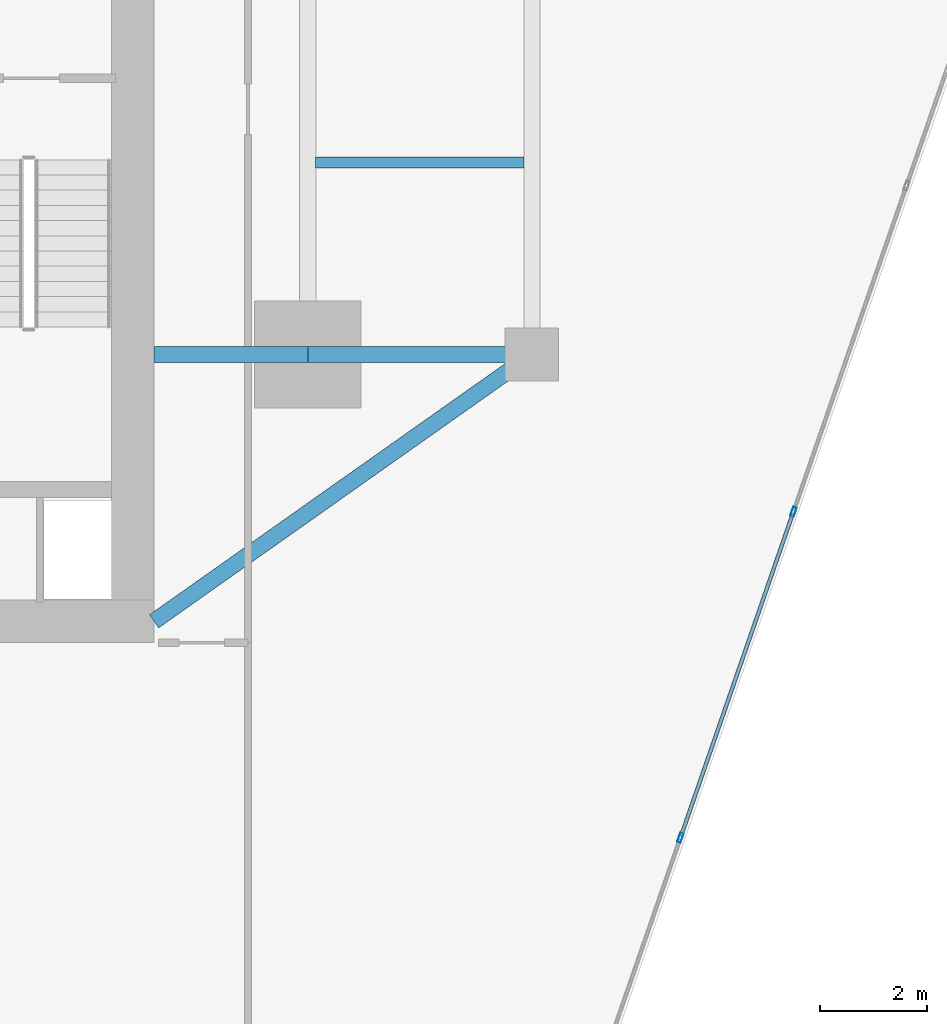
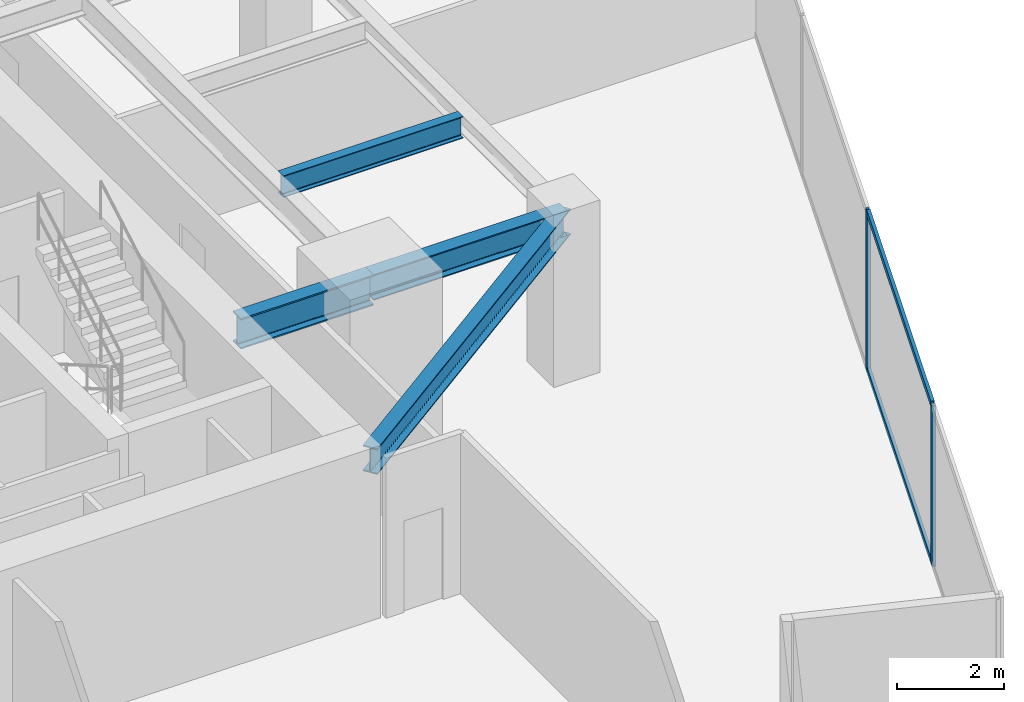
# One storey, part 11 of 27: 4 beams, 4 members, 1 element without a shape of its own.
"""IFC4 building model written with IfcOpenShell, lengths in metres."""

import ifcopenshell
import ifcopenshell.guid

model = None  # the IFC model being written
_history = None  # IfcOwnerHistory: only IFC2X3 demands one
_inside = {}  # id of a spatial element -> (the spatial element, [elements in it])
_under = {}  # id of a project, library or spatial element -> (it, [spatial elements below it])
_declared = {}  # id of a project -> (the project, [libraries it declares])
_typed = {}  # id of a type object -> (the type object, [elements of that type])
_made_of = {}  # id of a material, layer set ... -> (it, [elements and type objects made of it])


def new_model(schema):
    """Start an empty IFC model of exactly this schema.

    Asked for "IFC4X3", IfcOpenShell would pick the latest addendum, in which some entities
    have other attributes; the version numbers below select the first issue.
    IFC2X3 requires an IfcOwnerHistory on every rooted entity: one is made here for all.
    """
    global model, _history
    if schema == "IFC4X3":
        model = ifcopenshell.file(schema_version=(4, 3, 0, 0))
    else:
        model = ifcopenshell.file(schema=schema)
    _inside.clear()
    _under.clear()
    _declared.clear()
    _typed.clear()
    _made_of.clear()
    _history = None
    if model.schema == "IFC2X3":
        org = make("IfcOrganization", Name="unknown")
        user = make(
            "IfcPersonAndOrganization",
            ThePerson=make("IfcPerson", FamilyName="unknown"),
            TheOrganization=org,
        )
        app = make(
            "IfcApplication",
            ApplicationDeveloper=org,
            Version="unknown",
            ApplicationFullName="unknown",
            ApplicationIdentifier="unknown",
        )
        _history = make(
            "IfcOwnerHistory",
            OwningUser=user,
            OwningApplication=app,
            ChangeAction="ADDED",
            CreationDate=0,
        )
    return model


def make(cls, **values):
    """One entity of the class cls with the attributes given. An attribute that is None is left unset."""
    return model.create_entity(
        cls, **{name: value for name, value in values.items() if value is not None}
    )


def rooted(cls, **values):
    """An entity with a GlobalId (a new one), such as an element, a storey or a relation."""
    return make(cls, GlobalId=ifcopenshell.guid.new(), OwnerHistory=_history, **values)


def si_unit(unit_type, name, prefix=None):
    """IfcSIUnit, for example si_unit("LENGTHUNIT", "METRE", prefix="MILLI")."""
    return make("IfcSIUnit", UnitType=unit_type, Prefix=prefix, Name=name)


def assignment(units):
    """IfcUnitAssignment: the units of a project."""
    return None if units is None else make("IfcUnitAssignment", Units=units)


def point(xyz):
    """IfcCartesianPoint."""
    return None if xyz is None else make("IfcCartesianPoint", Coordinates=xyz)


def direction(xyz):
    """IfcDirection."""
    return None if xyz is None else make("IfcDirection", DirectionRatios=xyz)


def frame(location, z_axis=None, x_axis=None):
    """IfcAxis2Placement3D, a coordinate frame: its origin and axes. An axis left out is left unset."""
    return make(
        "IfcAxis2Placement3D",
        Location=point(location),
        Axis=direction(z_axis),
        RefDirection=direction(x_axis),
    )


def frame_2d(location, x_axis=None):
    """IfcAxis2Placement2D, a coordinate frame in the plane: its origin and x axis."""
    return make(
        "IfcAxis2Placement2D", Location=point(location), RefDirection=direction(x_axis)
    )


def origin():
    """The frame at (0, 0, 0) with its axes left unset."""
    return frame((0.0, 0.0, 0.0))


def origin_2d():
    """The frame at (0, 0) in the plane with its x axis left unset."""
    return frame_2d((0.0, 0.0))


def place(relative_to, where):
    """IfcLocalPlacement: puts the frame where relative to a parent placement (None: the world)."""
    return make(
        "IfcLocalPlacement", PlacementRelTo=relative_to, RelativePlacement=where
    )


def context(
    kind, dimensions, precision=None, world=None, true_north=None, identifier=None
):
    """IfcGeometricRepresentationContext, for example the 3D "Model" context."""
    return make(
        "IfcGeometricRepresentationContext",
        ContextIdentifier=identifier,
        ContextType=kind,
        CoordinateSpaceDimension=dimensions,
        Precision=precision,
        WorldCoordinateSystem=world,
        TrueNorth=true_north,
    )


def subcontext(parent, identifier, kind, view, scale=None):
    """IfcGeometricRepresentationSubContext, for example "Body" below "Model"."""
    return make(
        "IfcGeometricRepresentationSubContext",
        ContextIdentifier=identifier,
        ContextType=kind,
        ParentContext=parent,
        TargetScale=scale,
        TargetView=view,
    )


def project(units=None, contexts=None):
    """IfcProject with its units and contexts."""
    return rooted(
        "IfcProject",
        Name="project",
        RepresentationContexts=contexts,
        UnitsInContext=assignment(units),
    )


def spatial(cls, under=None, at=None, **own):
    """A site, building, storey or space (cls), placed at a placement, below another one or the project."""
    s = rooted(cls, ObjectPlacement=at, **own)
    if under is not None:
        _under.setdefault(under.id(), (under, []))[1].append(s)
    return s


def profile(cls, at=None, kind="AREA", **sizes):
    """A parametric profile (cls). Its sizes go by their IFC names, for example OverallWidth=200.0."""
    return make(cls, ProfileType=kind, Position=at, **sizes)


def hollow_rectangle(**sizes):
    """IfcRectangleHollowProfileDef."""
    return profile("IfcRectangleHollowProfileDef", **sizes)


def i_section(**sizes):
    """IfcIShapeProfileDef."""
    return profile("IfcIShapeProfileDef", **sizes)


def extrude(swept, where, along, depth):
    """IfcExtrudedAreaSolid: the profile swept, set in the frame where, extruded along a direction by depth."""
    return make(
        "IfcExtrudedAreaSolid",
        SweptArea=swept,
        Position=where,
        ExtrudedDirection=direction(along),
        Depth=depth,
    )


def shape(context_of_items, identifier, shape_type, items):
    """IfcShapeRepresentation: the items that make up one representation, for example the "Body"."""
    return make(
        "IfcShapeRepresentation",
        ContextOfItems=context_of_items,
        RepresentationIdentifier=identifier,
        RepresentationType=shape_type,
        Items=items,
    )


def source(mapping_origin, context_of_items, identifier, shape_type, items):
    """IfcRepresentationMap: a shape defined once, which mapped items show again and again."""
    return make(
        "IfcRepresentationMap",
        MappingOrigin=mapping_origin,
        MappedRepresentation=shape(context_of_items, identifier, shape_type, items),
    )


def transform(
    local_origin,
    x_axis=None,
    y_axis=None,
    z_axis=None,
    scale=None,
    scale2=None,
    scale3=None,
    uniform=True,
):
    """IfcCartesianTransformationOperator3D, or its non-uniform kind. x_axis, y_axis, z_axis: its Axis1, 2, 3."""
    if uniform:
        return make(
            "IfcCartesianTransformationOperator3D",
            Axis1=direction(x_axis),
            Axis2=direction(y_axis),
            LocalOrigin=point(local_origin),
            Scale=scale,
            Axis3=direction(z_axis),
        )
    return make(
        "IfcCartesianTransformationOperator3DnonUniform",
        Axis1=direction(x_axis),
        Axis2=direction(y_axis),
        LocalOrigin=point(local_origin),
        Scale=scale,
        Axis3=direction(z_axis),
        Scale2=scale2,
        Scale3=scale3,
    )


def mapped(mapping_source, mapping_target):
    """IfcMappedItem: shows the shape of a source again, moved by a transform."""
    return make(
        "IfcMappedItem", MappingSource=mapping_source, MappingTarget=mapping_target
    )


def material(Name=None, Category=None):
    """IfcMaterial."""
    return make("IfcMaterial", Name=Name, Category=Category)


def material_profile(
    of_material, cross_section, Name=None, Category=None, Priority=None
):
    """IfcMaterialProfile: a cross section and its material."""
    return make(
        "IfcMaterialProfile",
        Name=Name,
        Material=of_material,
        Profile=cross_section,
        Priority=Priority,
        Category=Category,
    )


def profile_set(profiles, Name=None, composite=None):
    """IfcMaterialProfileSet."""
    return make(
        "IfcMaterialProfileSet",
        Name=Name,
        MaterialProfiles=profiles,
        CompositeProfile=composite,
    )


def made_of(thing, what):
    """Note that an element or type object is made of a material, layer set ...; save() writes the relation."""
    if what is not None:
        _made_of.setdefault(what.id(), (what, []))[1].append(thing)
    return thing


def type_object(cls, material=None, **own):
    """A type object (cls), such as IfcWallType, which elements share."""
    return made_of(rooted(cls, **own), material)


def type_shapes(of_type, sources):
    """Give a type object the sources (RepresentationMaps) that its elements show as mapped items."""
    of_type.RepresentationMaps = sources


def element(
    cls,
    number,
    at=None,
    inside=None,
    cuts=None,
    type_object=None,
    material=None,
    context=None,
    identifier="Body",
    shape_type=None,
    held_by="IfcProductDefinitionShape",
    body=None,
    shapes=None,
    **own,
):
    """One element of the class cls, such as IfcWall. Its Tag is "e" and its number.

    at: its placement. inside: the storey or other place that contains it. cuts: it is an
    opening in that element (IfcRelVoidsElement). A single representation is given by context,
    identifier, shape_type and body (its items); several are given by shapes. held_by: the class
    of the entity that holds the representations. save() writes the other relations.
    """
    e = rooted(cls, Tag="e%d" % number, ObjectPlacement=at, **own)
    if body is not None:
        shapes = [shape(context, identifier, shape_type, body)]
    if shapes is not None:
        e.Representation = make(held_by, Representations=shapes)
    if inside is not None:
        _inside.setdefault(inside.id(), (inside, []))[1].append(e)
    if cuts is not None:
        rooted(
            "IfcRelVoidsElement", RelatingBuildingElement=cuts, RelatedOpeningElement=e
        )
    if type_object is not None:
        _typed.setdefault(type_object.id(), (type_object, []))[1].append(e)
    return made_of(e, material)


def aggregate(whole, parts):
    """IfcRelAggregates: a whole, such as a stair, and the parts it consists of."""
    return rooted("IfcRelAggregates", RelatingObject=whole, RelatedObjects=parts)


def save(model, path):
    """Write the relations noted so far, then the file.

    IfcRelAggregates (storeys below a building ...), IfcRelContainedInSpatialStructure (elements
    in a storey), IfcRelDefinesByType, IfcRelAssociatesMaterial and IfcRelDeclares: one each for
    every whole, place, type object, material and project.
    """
    for whole, parts in _under.values():
        aggregate(whole, parts)
    for where, things in _inside.values():
        rooted(
            "IfcRelContainedInSpatialStructure",
            RelatedElements=things,
            RelatingStructure=where,
        )
    for kind, things in _typed.values():
        rooted("IfcRelDefinesByType", RelatedObjects=things, RelatingType=kind)
    for what, things in _made_of.values():
        rooted("IfcRelAssociatesMaterial", RelatedObjects=things, RelatingMaterial=what)
    for by, libraries in _declared.values():
        rooted("IfcRelDeclares", RelatingContext=by, RelatedDefinitions=libraries)
    model.write(path)


model = new_model("IFC4")

# Units and contexts
model_context = context("Model", 3, precision=1e-05, world=origin(), true_north=direction((0.0, 1.0)))
body_context = subcontext(model_context, "Body", "Model", "MODEL_VIEW")
ifc_project = project(units=[si_unit("LENGTHUNIT", "METRE"), si_unit("AREAUNIT", "SQUARE_METRE"), si_unit("VOLUMEUNIT", "CUBIC_METRE"), si_unit("PLANEANGLEUNIT", "RADIAN"), si_unit("MASSUNIT", "GRAM", prefix="KILO")], contexts=[model_context])

# Site, building, storey
site_placement = place(None, origin())
site = spatial("IfcSite", under=ifc_project, at=site_placement, CompositionType="ELEMENT")
building_placement = place(site_placement, origin())
building = spatial("IfcBuilding", under=site, at=building_placement, Name="Krantzveldt Concourse Tower", CompositionType="ELEMENT")
storey_placement = place(building_placement, frame((0.0, 0.0, 125.60009765625)))
storey = spatial("IfcBuildingStorey", under=building, at=storey_placement, Name="L30", CompositionType="ELEMENT", Elevation=125.60009765625)

# Beams
ifc_material_1 = material(Name="Steel S355J2", Category="steel")
ifc_material_profile_1 = material_profile(ifc_material_1, i_section(OverallWidth=0.300048828125, OverallDepth=0.699951171875, WebThickness=0.01708984375, FlangeThickness=0.031982421875, FilletRadius=0.027099609375, at=origin_2d()), Name="Steel S355J2", Category="steel")
ifc_profile_set_1 = profile_set([ifc_material_profile_1], Name="Steel S355J2 - HEB 700")
beam_type_1 = type_object("IfcBeamType", Name="BM-B-HEB700", PredefinedType="BEAM", material=ifc_profile_set_1)
shared_shape_1 = source(origin(), body_context, "Body", "SweptSolid", [
    extrude(i_section(OverallWidth=0.300048828125, OverallDepth=0.699951171875, WebThickness=0.01708984375, FlangeThickness=0.031982421875, FilletRadius=0.027099609375, at=origin_2d()), origin(), (0.0, 0.0, 1.0), 2.880126953125),
])
type_shapes(beam_type_1, [shared_shape_1])
beam_1_placement = place(storey_placement, frame((43.919921875, 15.89990234375, 3.31982421875), z_axis=(1.0, 0.0, 0.0), x_axis=(0.0, 1.0, 0.0)))
element("IfcBeam", 1, at=beam_1_placement, inside=storey, type_object=beam_type_1, Name="L30 Tower Girder BG-CE1", PredefinedType="BEAM", context=body_context, shape_type="MappedRepresentation", body=[
    mapped(shared_shape_1, transform((0.0, 0.0, 0.0), x_axis=(1.0, 0.0, 0.0), y_axis=(0.0, 1.0, 0.0), z_axis=(0.0, 0.0, 1.0), scale=1.0)),
])
ifc_material_2 = material(Name="Steel S355JR", Category="steel")
ifc_material_profile_2 = material_profile(ifc_material_2, i_section(OverallWidth=0.300048828125, OverallDepth=0.590087890625, WebThickness=0.012939453125, FlangeThickness=0.02490234375, FilletRadius=0.027099609375, at=origin_2d()), Name="Steel S355JR", Category="steel")
ifc_profile_set_2 = profile_set([ifc_material_profile_2], Name="Steel S355JR - HEA 600")
beam_type_2 = type_object("IfcBeamType", Name="BM-B-HEA600", PredefinedType="BEAM", material=ifc_profile_set_2)
shared_shape_2 = source(origin(), body_context, "Body", "SweptSolid", [
    extrude(i_section(OverallWidth=0.300048828125, OverallDepth=0.590087890625, WebThickness=0.012939453125, FlangeThickness=0.02490234375, FilletRadius=0.027099609375, at=origin_2d()), origin(), (0.0, 0.0, 1.0), 4.199951171875),
])
beam_2_placement = place(storey_placement, frame((46.800048828125, 15.89990234375, 3.375), z_axis=(1.0, 0.0, 0.0), x_axis=(0.0, 1.0, 0.0)))
element("IfcBeam", 2, at=beam_2_placement, inside=storey, type_object=beam_type_2, Name="L30 Tower Girder BR-RR1", PredefinedType="BEAM", context=body_context, shape_type="MappedRepresentation", body=[
    mapped(shared_shape_2, transform((0.0, 0.0, 0.0), x_axis=(1.0, 0.0, 0.0), y_axis=(0.0, 1.0, 0.0), z_axis=(0.0, 0.0, 1.0), scale=1.0)),
])
shared_shape_3 = source(origin(), body_context, "Body", "SweptSolid", [
    extrude(i_section(OverallWidth=0.300048828125, OverallDepth=0.590087890625, WebThickness=0.012939453125, FlangeThickness=0.02490234375, FilletRadius=0.027099609375, at=origin_2d()), origin(), (0.0, 0.0, 1.0), 8.667724609375),
])
type_shapes(beam_type_2, [shared_shape_2, shared_shape_3])
beam_3_placement = place(storey_placement, frame((51.0, 15.89990234375, 3.375), z_axis=(-0.81684294656, -0.576860122261, 0.0), x_axis=(0.576860122261, -0.81684294656, 0.0)))
element("IfcBeam", 3, at=beam_3_placement, inside=storey, type_object=beam_type_2, Name="L30 Tower Girder BR-CSE", PredefinedType="BEAM", context=body_context, shape_type="MappedRepresentation", body=[
    mapped(shared_shape_3, transform((0.0, 0.0, 0.0), x_axis=(1.0, 0.0, 0.0), y_axis=(0.0, 1.0, 0.0), z_axis=(0.0, 0.0, 1.0), scale=1.0)),
])
ifc_material_profile_3 = material_profile(ifc_material_2, i_section(OverallWidth=0.199951171875, OverallDepth=0.5, WebThickness=0.01025390625, FlangeThickness=0.01611328125, FilletRadius=0.02099609375, at=origin_2d()), Name="Steel S355JR", Category="steel")
ifc_profile_set_3 = profile_set([ifc_material_profile_3], Name="Steel S355JR - IPE 500")
beam_type_3 = type_object("IfcBeamType", Name="BM-J-IPE500", PredefinedType="JOIST", material=ifc_profile_set_3)
shared_shape_4 = source(origin(), body_context, "Body", "SweptSolid", [
    extrude(i_section(OverallWidth=0.199951171875, OverallDepth=0.5, WebThickness=0.01025390625, FlangeThickness=0.01611328125, FilletRadius=0.02099609375, at=origin_2d()), origin(), (0.0, 0.0, 1.0), 3.900146484375),
])
type_shapes(beam_type_3, [shared_shape_4])
beam_4_placement = place(storey_placement, frame((46.949951171875, 19.5, 3.419921875), z_axis=(1.0, 0.0, 0.0), x_axis=(0.0, 1.0, 0.0)))
element("IfcBeam", 4, at=beam_4_placement, inside=storey, type_object=beam_type_3, Name="L30 Secondary Floor Joist JE-1", PredefinedType="JOIST", context=body_context, shape_type="MappedRepresentation", body=[
    mapped(shared_shape_4, transform((0.0, 0.0, 0.0), x_axis=(1.0, 0.0, 0.0), y_axis=(0.0, 1.0, 0.0), z_axis=(0.0, 0.0, 1.0), scale=1.0)),
])

# Curtain wall, members
ifc_material_3 = material(Name="Anodised aluminium 6063-T6", Category="aluminium")
curtain_wall_type = type_object("IfcCurtainWallType", Name="CW2", PredefinedType="USERDEFINED", material=ifc_material_3)
curtain_wall_placement = place(storey_placement, origin())
curtain_wall = element("IfcCurtainWall", 5, at=curtain_wall_placement, inside=storey, type_object=curtain_wall_type, Name="CW-L30-F07", ObjectType="UNITISED CURTAIN WALL", PredefinedType="USERDEFINED")
ifc_material_profile_4 = material_profile(ifc_material_3, hollow_rectangle(XDim=0.070068359375, YDim=0.179931640625, WallThickness=0.0048828125, at=origin_2d()), Name="Anodised aluminium 6063-T6", Category="aluminium")
ifc_profile_set_4 = profile_set([ifc_material_profile_4], Name="Anodised aluminium 6063-T6 - ALU-MULL 180x70x5")
member_type_1 = type_object("IfcMemberType", Name="CW-MUL-180", PredefinedType="MULLION", material=ifc_profile_set_4)
shared_shape_5 = source(origin(), body_context, "Body", "SweptSolid", [
    extrude(hollow_rectangle(XDim=0.070068359375, YDim=0.179931640625, WallThickness=0.0048828125, at=origin_2d()), origin(), (0.0, 0.0, 1.0), 3.669921875),
])
type_shapes(member_type_1, [shared_shape_5])
member_1_placement = place(storey_placement, frame((53.7861328125, 6.843505859375, 0.0), z_axis=(0.0, 0.0, 1.0), x_axis=(-0.944806041446, 0.32763019404, 0.0)))
member_1 = element("IfcMember", 6, at=member_1_placement, type_object=member_type_1, Name="CW-Z12 mullion 2", PredefinedType="MULLION", context=body_context, shape_type="MappedRepresentation", body=[
    mapped(shared_shape_5, transform((0.0, 0.0, 0.0), x_axis=(1.0, 0.0, 0.0), y_axis=(0.0, 1.0, 0.0), z_axis=(0.0, 0.0, 1.0), scale=1.0)),
])
member_2_placement = place(storey_placement, frame((55.90478515625, 12.953125, 0.0), z_axis=(0.0, 0.0, 1.0), x_axis=(-0.944806041446, 0.32763019404, 0.0)))
member_2 = element("IfcMember", 7, at=member_2_placement, type_object=member_type_1, Name="CW-Z12 mullion 3", PredefinedType="MULLION", context=body_context, shape_type="MappedRepresentation", body=[
    mapped(shared_shape_5, transform((0.0, 0.0, 0.0), x_axis=(1.0, 0.0, 0.0), y_axis=(0.0, 1.0, 0.0), z_axis=(0.0, 0.0, 1.0), scale=1.0)),
])
ifc_material_profile_5 = material_profile(ifc_material_3, hollow_rectangle(XDim=0.070068359375, YDim=0.139892578125, WallThickness=0.0048828125, at=origin_2d()), Name="Anodised aluminium 6063-T6", Category="aluminium")
ifc_profile_set_5 = profile_set([ifc_material_profile_5], Name="Anodised aluminium 6063-T6 - ALU-TRAN 140x70x5")
member_type_2 = type_object("IfcMemberType", Name="CW-TRN-150", PredefinedType="USERDEFINED", material=ifc_profile_set_5)
shared_shape_6 = source(origin(), body_context, "Body", "SweptSolid", [
    extrude(hollow_rectangle(XDim=0.070068359375, YDim=0.139892578125, WallThickness=0.0048828125, at=origin_2d()), origin(), (0.0, 0.0, 1.0), 6.396728515625),
])
type_shapes(member_type_2, [shared_shape_6])
member_3_placement = place(storey_placement, frame((53.797607421875, 6.87646484375, 0.034912109375), z_axis=(0.327620443666, 0.944809422525, 0.0), x_axis=(-0.944809422525, 0.327620443666, 0.0)))
member_3 = element("IfcMember", 8, at=member_3_placement, type_object=member_type_2, Name="CW-Z12 transom 2.1", ObjectType="TRANSOM", PredefinedType="USERDEFINED", context=body_context, shape_type="MappedRepresentation", body=[
    mapped(shared_shape_6, transform((0.0, 0.0, 0.0), x_axis=(1.0, 0.0, 0.0), y_axis=(0.0, 1.0, 0.0), z_axis=(0.0, 0.0, 1.0), scale=1.0)),
])
member_4_placement = place(storey_placement, frame((53.797607421875, 6.87646484375, 3.635009765625), z_axis=(0.327620443666, 0.944809422525, 0.0), x_axis=(-0.944809422525, 0.327620443666, 0.0)))
member_4 = element("IfcMember", 9, at=member_4_placement, type_object=member_type_2, Name="CW-Z12 transom 2.2", ObjectType="TRANSOM", PredefinedType="USERDEFINED", context=body_context, shape_type="MappedRepresentation", body=[
    mapped(shared_shape_6, transform((0.0, 0.0, 0.0), x_axis=(1.0, 0.0, 0.0), y_axis=(0.0, 1.0, 0.0), z_axis=(0.0, 0.0, 1.0), scale=1.0)),
])
aggregate(curtain_wall, [member_1, member_2, member_3, member_4])

save(model, "model.ifc")
